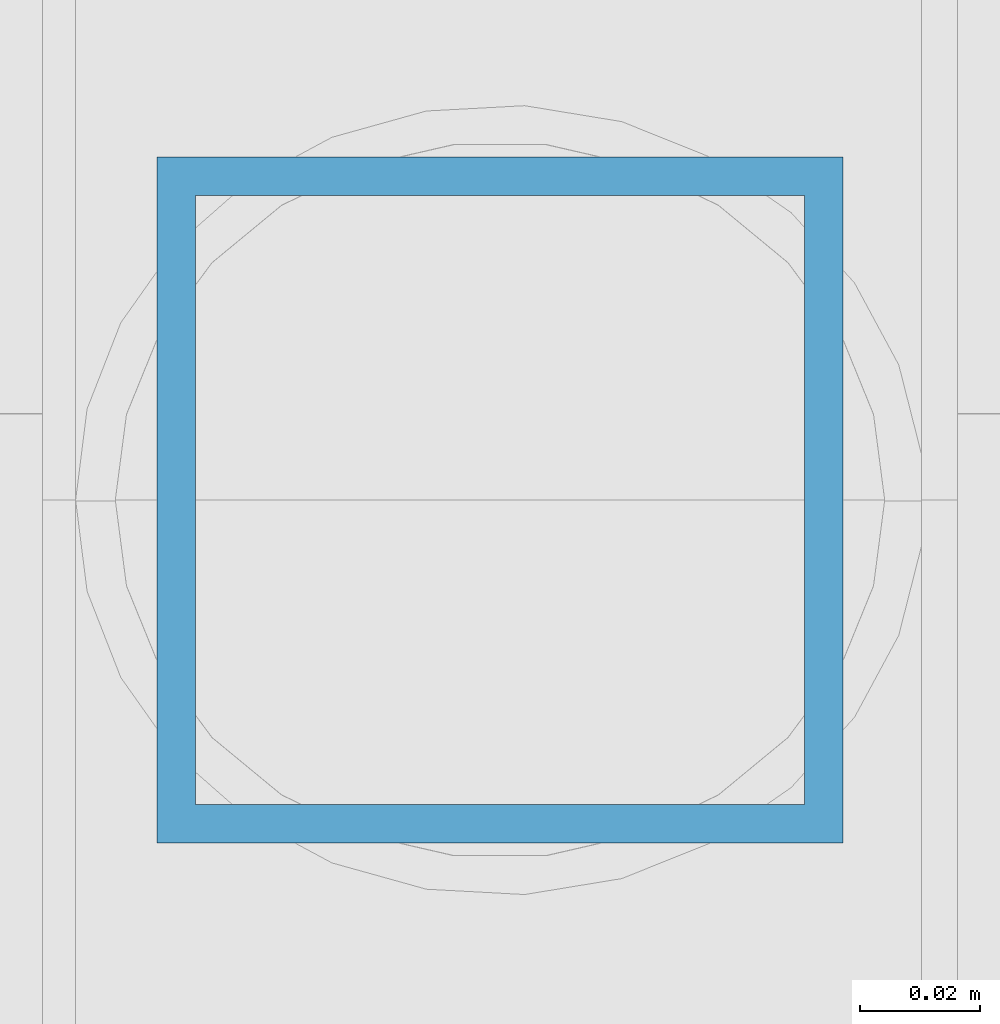
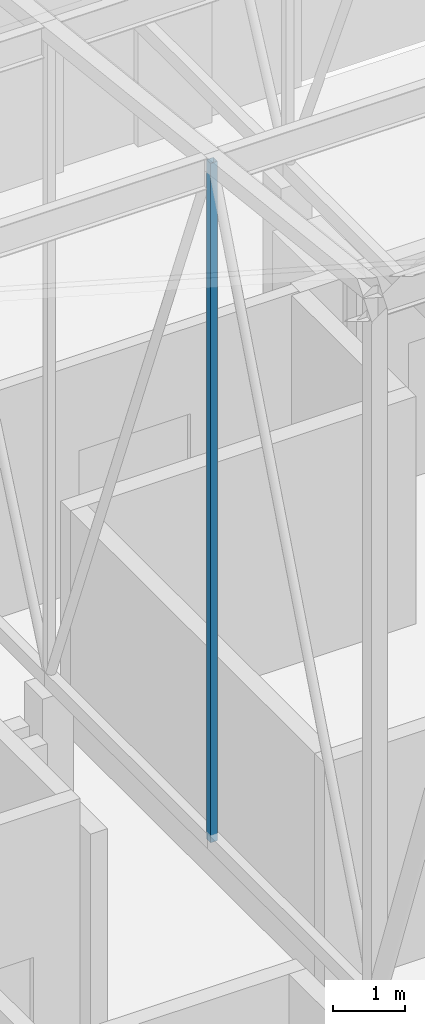
# One storey, part 287 of 500: 1 member.
"""IFC4 building model written with IfcOpenShell, lengths in metres."""

from ifc_helpers import new_model, si_unit, direction, frame, origin, origin_2d, place, context, subcontext, project, spatial, hollow_rectangle, extrude, material, material_profile, profile_set, type_object, element, save


model = new_model("IFC4")

# Units and contexts
model_context = context("Model", 3, precision=1e-05, world=origin(), true_north=direction((0.0, 1.0)))
body_context = subcontext(model_context, "Body", "Model", "MODEL_VIEW")
ifc_project = project(units=[si_unit("LENGTHUNIT", "METRE"), si_unit("AREAUNIT", "SQUARE_METRE"), si_unit("VOLUMEUNIT", "CUBIC_METRE"), si_unit("PLANEANGLEUNIT", "RADIAN"), si_unit("MASSUNIT", "GRAM", prefix="KILO")], contexts=[model_context])

# Site, building, storey
site_placement = place(None, origin())
site = spatial("IfcSite", under=ifc_project, at=site_placement, CompositionType="ELEMENT")
building_placement = place(site_placement, origin())
building = spatial("IfcBuilding", under=site, at=building_placement, Name="Shirokan Park Arena", CompositionType="ELEMENT")
storey_placement = place(building_placement, frame((0.0, 0.0, 29.1201171875)))
storey = spatial("IfcBuildingStorey", under=building, at=storey_placement, Name="L06", CompositionType="ELEMENT", Elevation=29.1201171875)

# Member
ifc_material = material(Name="Steel ASTM A500 Grade C", Category="steel")
ifc_material_profile = material_profile(ifc_material, hollow_rectangle(XDim=0.114013671875, YDim=0.114013671875, WallThickness=0.00634765625, at=origin_2d()), Name="HSS114.3X114.3X6.4")
ifc_profile_set = profile_set([ifc_material_profile], Name="Steel ASTM A500 Grade C")
member_type = type_object("IfcMemberType", Name="Truss post HSS114.3X114.3X6.4", PredefinedType="POST", material=ifc_profile_set)
member_placement = place(storey_placement, frame((109.199951171875, 77.35009765625, 4.677001953125), z_axis=(0.0, 0.0, 1.0), x_axis=(1.0, 0.0, 0.0)))
element("IfcMember", 1, at=member_placement, inside=storey, type_object=member_type, Name="Truss T13 post 20", PredefinedType="POST", context=body_context, shape_type="SweptSolid", body=[
    extrude(hollow_rectangle(XDim=0.114013671875, YDim=0.114013671875, WallThickness=0.00634765625, at=origin_2d()), origin(), (0.0, 0.0, 1.0), 11.5859375),
])

save(model, "model.ifc")
